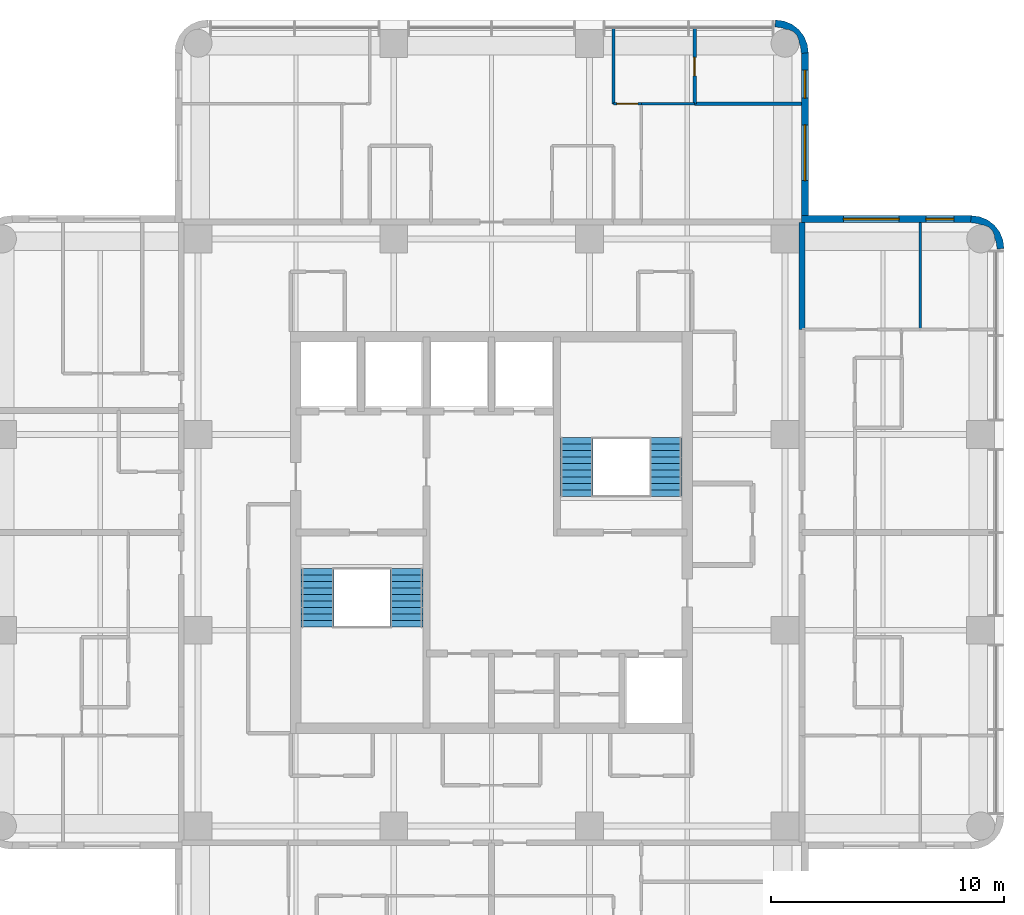
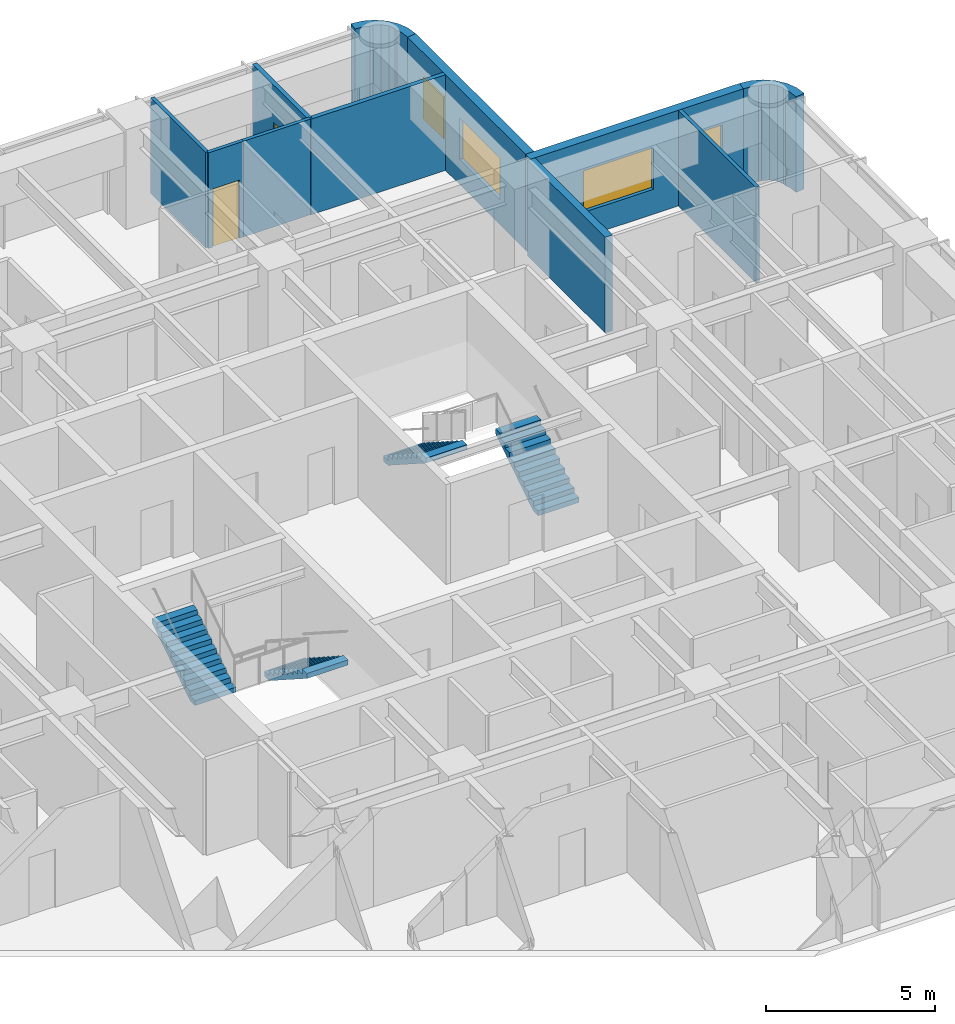
# One storey, part 9 of 10: 11 walls, 4 stair flights, 4 windows, 2 doors, 6 openings, 2 elements without a shape of their own.
"""IFC4 building model written with IfcOpenShell, lengths in metres."""

from ifc_helpers import new_model, si_unit, direction, frame, frame_2d, origin, place, context, subcontext, project, spatial, polyline, rectangle, outline, extrude, material, layer, layer_set, type_object, element, fill, aggregate, save


model = new_model("IFC4")

# Units and contexts
model_context = context("Model", 3, precision=1e-05, world=origin(), true_north=direction((0.0, 1.0)))
body_context = subcontext(model_context, "Body", "Model", "MODEL_VIEW")
ifc_project = project(units=[si_unit("LENGTHUNIT", "METRE"), si_unit("AREAUNIT", "SQUARE_METRE"), si_unit("VOLUMEUNIT", "CUBIC_METRE"), si_unit("PLANEANGLEUNIT", "RADIAN"), si_unit("MASSUNIT", "GRAM", prefix="KILO")], contexts=[model_context])

# Site, building, storey
site_placement = place(None, origin())
site = spatial("IfcSite", under=ifc_project, at=site_placement, CompositionType="ELEMENT")
building_placement = place(site_placement, origin())
building = spatial("IfcBuilding", under=site, at=building_placement, Name="Torre Alcanfor", CompositionType="ELEMENT")
storey_placement = place(building_placement, frame((0.0, 0.0, 293.699951171875)))
storey = spatial("IfcBuildingStorey", under=building, at=storey_placement, Name="L77", CompositionType="ELEMENT", Elevation=293.699951171875)

# Walls
ifc_material_1 = material(Name="Concrete block masonry, hollow blocks NMX-C-404 9 MPa", Category="masonry")
ifc_layer_1 = layer(ifc_material_1, 0.25)
ifc_layer_set_1 = layer_set([ifc_layer_1], Name="Apartment entrance wall 250 EI 60")
wall_type_1 = type_object("IfcWallType", Name="Apartment entrance wall 250 EI 60", PredefinedType="PARTITIONING", material=ifc_layer_set_1)
wall_1_placement = place(storey_placement, frame((42.72509765625, 42.699951171875, 0.0), z_axis=(0.0, 0.0, 1.0), x_axis=(0.0, -1.0, 0.0)))
element("IfcWall", 1, at=wall_1_placement, inside=storey, type_object=wall_type_1, Name="Partition L77-CORR / L77-E1-MASTER", PredefinedType="PARTITIONING", context=body_context, shape_type="SweptSolid", body=[
    extrude(rectangle(XDim=4.5859375, YDim=0.25, at=frame_2d((2.29296875, 0.0))), origin(), (0.0, 0.0, 1.0), 3.449951171875),
])
ifc_material_2 = material(Name="Gypsum board on steel studs", Category="steel")
ifc_layer_2 = layer(ifc_material_2, 0.1201171875)
ifc_layer_set_2 = layer_set([ifc_layer_2], Name="Apartment partition 120")
wall_type_2 = type_object("IfcWallType", Name="Apartment partition 120", PredefinedType="PARTITIONING", material=ifc_layer_set_2)
wall_2_placement = place(storey_placement, frame((34.62890625, 51.050048828125, 0.0), z_axis=(0.0, 0.0, 1.0), x_axis=(0.0, -1.0, 0.0)))
element("IfcWall", 2, at=wall_2_placement, inside=storey, type_object=wall_type_2, Name="Partition L77-NX-LIVING / L77-NX-BED1", PredefinedType="PARTITIONING", context=body_context, shape_type="SweptSolid", body=[
    extrude(rectangle(XDim=3.25, YDim=0.1201171875, at=frame_2d((1.625, 0.0))), origin(), (0.0, 0.0, 1.0), 3.449951171875),
])

# Wall, opening, door
wall_3_placement = place(storey_placement, frame((34.62890625, 47.800048828125, 0.0), z_axis=(0.0, 0.0, 1.0), x_axis=(1.0, 0.0, 0.0)))
wall_3 = element("IfcWall", 3, at=wall_3_placement, inside=storey, type_object=wall_type_2, Name="Partition L77-NX-LIVING / L77-NX-BED1", PredefinedType="PARTITIONING", context=body_context, shape_type="SweptSolid", body=[
    extrude(rectangle(XDim=1.2001953125, YDim=0.1201171875, at=frame_2d((0.60009765625, 0.0))), origin(), (0.0, 0.0, 1.0), 3.449951171875),
])
opening_1_placement = place(wall_3_placement, frame((0.15087890625, 0.0, 0.0)))
opening_1 = element("IfcOpeningElement", 4, at=opening_1_placement, cuts=wall_3, Name="Opening D-R1", PredefinedType="OPENING", context=body_context, shape_type="SweptSolid", body=[
    extrude(rectangle(XDim=0.89990234375, YDim=2.10009765625, at=frame_2d((0.449951171875, 1.050048828125))), frame((0.0, 0.070068359375, 0.0), z_axis=(0.0, -1.0, 0.0), x_axis=(1.0, 0.0, 0.0)), (0.0, 0.0, 1.0), 0.14013671875),
])
ifc_material_3 = material(Name="Timber", Category="wood")
door_type_1 = type_object("IfcDoorType", Name="Internal door 900x2100", OperationType="SINGLE_SWING_LEFT", PredefinedType="DOOR", material=ifc_material_3)
door_1_placement = place(opening_1_placement, origin())
door_1 = element("IfcDoor", 5, at=door_1_placement, inside=storey, type_object=door_type_1, Name="Door L77-NX bed1", OperationType="SINGLE_SWING_LEFT", OverallHeight=2.10009765625, OverallWidth=0.89990234375, PredefinedType="DOOR", context=body_context, shape_type="SweptSolid", body=[
    extrude(rectangle(XDim=0.89990234375, YDim=2.10009765625, at=frame_2d((0.449951171875, 1.050048828125))), frame((0.0, 0.02490234375, 0.0), z_axis=(0.0, -1.0, 0.0), x_axis=(1.0, 0.0, 0.0)), (0.0, 0.0, 1.0), 0.050048828125),
])
fill(opening_1, door_1)

# Walls
wall_4_placement = place(storey_placement, frame((38.114013671875, 47.800048828125, 0.0), z_axis=(0.0, 0.0, 1.0), x_axis=(-1.0, 0.0, 0.0)))
element("IfcWall", 6, at=wall_4_placement, inside=storey, type_object=wall_type_2, Name="Partition L77-NX-BED3 / L77-NX-BED1", PredefinedType="PARTITIONING", context=body_context, shape_type="SweptSolid", body=[
    extrude(rectangle(XDim=2.284912109375, YDim=0.1201171875, at=frame_2d((1.142578125, 0.0))), origin(), (0.0, 0.0, 1.0), 3.449951171875),
])
wall_5_placement = place(storey_placement, frame((47.800048828125, 38.114013671875, 0.0), z_axis=(0.0, 0.0, 1.0), x_axis=(0.0, 1.0, 0.0)))
element("IfcWall", 7, at=wall_5_placement, inside=storey, type_object=wall_type_2, Name="Partition L77-E1-MASTER / L77-E1-BED2", PredefinedType="PARTITIONING", context=body_context, shape_type="SweptSolid", body=[
    extrude(rectangle(XDim=4.5859375, YDim=0.1201171875, at=frame_2d((2.29296875, 0.0))), origin(), (0.0, 0.0, 1.0), 3.449951171875),
])

# Wall, openings, windows
ifc_material_4 = material(Name="Limestone cladding", Category="masonry")
ifc_layer_3 = layer(ifc_material_4, 0.0400390625, Name="Facing")
ifc_material_5 = material(Name="Ventilated air cavity")
ifc_layer_4 = layer(ifc_material_5, 0.02001953125, ventilated=True, Name="Ventilated joint")
ifc_material_6 = material(Name="Mineral wool insulation", Category="insulation")
ifc_layer_5 = layer(ifc_material_6, 0.10009765625, Name="Insulation")
ifc_material_7 = material(Name="Concrete f'c 35 MPa", Category="concrete")
ifc_layer_6 = layer(ifc_material_7, 0.139892578125, Name="Backing")
ifc_layer_set_3 = layer_set([ifc_layer_3, ifc_layer_4, ifc_layer_5, ifc_layer_6], Name="External wall stone-clad 300")
wall_type_3 = type_object("IfcWallType", Name="External wall stone-clad 300", PredefinedType="SOLIDWALL", material=ifc_layer_set_3)
wall_6_placement = place(storey_placement, frame((50.0, 42.85009765625, 0.0), z_axis=(0.0, 0.0, 1.0), x_axis=(-1.0, 0.0, 0.0)))
wall_6 = element("IfcWall", 8, at=wall_6_placement, inside=storey, type_object=wall_type_3, Name="External wall L77 9", PredefinedType="SOLIDWALL", context=body_context, shape_type="SweptSolid", body=[
    extrude(rectangle(XDim=7.300048828125, YDim=0.300048828125, at=frame_2d((3.64990234375, 0.0))), origin(), (0.0, 0.0, 1.0), 3.449951171875),
])
opening_2_placement = place(wall_6_placement, frame((3.10009765625, 0.0, 0.89990234375)))
opening_2 = element("IfcOpeningElement", 9, at=opening_2_placement, cuts=wall_6, Name="Opening W1", PredefinedType="OPENING", context=body_context, shape_type="SweptSolid", body=[
    extrude(rectangle(XDim=2.39990234375, YDim=1.5, at=frame_2d((1.199951171875, 0.75))), frame((0.0, 0.159912109375, 0.0), z_axis=(0.0, -1.0, 0.0), x_axis=(1.0, 0.0, 0.0)), (0.0, 0.0, 1.0), 0.320068359375),
])
opening_3_placement = place(wall_6_placement, frame((0.75, 0.0, 0.89990234375)))
opening_3 = element("IfcOpeningElement", 10, at=opening_3_placement, cuts=wall_6, Name="Opening W4", PredefinedType="OPENING", context=body_context, shape_type="SweptSolid", body=[
    extrude(rectangle(XDim=1.199951171875, YDim=1.5, at=frame_2d((0.60009765625, 0.75))), frame((0.0, 0.159912109375, 0.0), z_axis=(0.0, -1.0, 0.0), x_axis=(1.0, 0.0, 0.0)), (0.0, 0.0, 1.0), 0.320068359375),
])
ifc_material_8 = material(Name="Aluminium frame with clear double glazing", Category="aluminium")
window_type_1 = type_object("IfcWindowType", Name="Window bedroom 1200x1500", PartitioningType="SINGLE_PANEL", PredefinedType="WINDOW", material=ifc_material_8)
window_1_placement = place(opening_3_placement, origin())
window_1 = element("IfcWindow", 11, at=window_1_placement, inside=storey, type_object=window_type_1, Name="Window W4 L77-E1", OverallHeight=1.5, OverallWidth=1.199951171875, PartitioningType="SINGLE_PANEL", PredefinedType="WINDOW", context=body_context, shape_type="SweptSolid", body=[
    extrude(rectangle(XDim=1.199951171875, YDim=1.5, at=frame_2d((0.60009765625, 0.75))), frame((0.0, 0.030029296875, 0.0), z_axis=(0.0, -1.0, 0.0), x_axis=(1.0, 0.0, 0.0)), (0.0, 0.0, 1.0), 0.06005859375),
])
fill(opening_3, window_1)
ifc_material_9 = material(Name="Aluminium frame with clear double glazing", Category="aluminium")
window_type_2 = type_object("IfcWindowType", Name="Window bedroom 2400x1500", PartitioningType="SINGLE_PANEL", PredefinedType="WINDOW", material=ifc_material_9)
window_2_placement = place(opening_2_placement, origin())
window_2 = element("IfcWindow", 12, at=window_2_placement, inside=storey, type_object=window_type_2, Name="Window W1 L77-E1", OverallHeight=1.5, OverallWidth=2.39990234375, PartitioningType="SINGLE_PANEL", PredefinedType="WINDOW", context=body_context, shape_type="SweptSolid", body=[
    extrude(rectangle(XDim=2.39990234375, YDim=1.5, at=frame_2d((1.199951171875, 0.75))), frame((0.0, 0.030029296875, 0.0), z_axis=(0.0, -1.0, 0.0), x_axis=(1.0, 0.0, 0.0)), (0.0, 0.0, 1.0), 0.06005859375),
])
fill(opening_2, window_2)

wall_7_placement = place(storey_placement, frame((42.85009765625, 43.0, 0.0), z_axis=(0.0, 0.0, 1.0), x_axis=(0.0, 1.0, 0.0)))
wall_7 = element("IfcWall", 13, at=wall_7_placement, inside=storey, type_object=wall_type_3, Name="External wall L77 10", PredefinedType="SOLIDWALL", context=body_context, shape_type="SweptSolid", body=[
    extrude(rectangle(XDim=7.0, YDim=0.300048828125, at=frame_2d((3.5, 0.0))), origin(), (0.0, 0.0, 1.0), 3.449951171875),
])
opening_4_placement = place(wall_7_placement, frame((1.5, 0.0, 0.89990234375)))
opening_4 = element("IfcOpeningElement", 14, at=opening_4_placement, cuts=wall_7, Name="Opening W1", PredefinedType="OPENING", context=body_context, shape_type="SweptSolid", body=[
    extrude(rectangle(XDim=2.39990234375, YDim=1.5, at=frame_2d((1.199951171875, 0.75))), frame((0.0, 0.159912109375, 0.0), z_axis=(0.0, -1.0, 0.0), x_axis=(1.0, 0.0, 0.0)), (0.0, 0.0, 1.0), 0.320068359375),
])
opening_5_placement = place(wall_7_placement, frame((5.050048828125, 0.0, 0.89990234375)))
opening_5 = element("IfcOpeningElement", 15, at=opening_5_placement, cuts=wall_7, Name="Opening W4", PredefinedType="OPENING", context=body_context, shape_type="SweptSolid", body=[
    extrude(rectangle(XDim=1.199951171875, YDim=1.5, at=frame_2d((0.60009765625, 0.75))), frame((0.0, 0.159912109375, 0.0), z_axis=(0.0, -1.0, 0.0), x_axis=(1.0, 0.0, 0.0)), (0.0, 0.0, 1.0), 0.320068359375),
])
window_3_placement = place(opening_5_placement, origin())
window_3 = element("IfcWindow", 16, at=window_3_placement, inside=storey, type_object=window_type_1, Name="Window W4 L77-N2", OverallHeight=1.5, OverallWidth=1.199951171875, PartitioningType="SINGLE_PANEL", PredefinedType="WINDOW", context=body_context, shape_type="SweptSolid", body=[
    extrude(rectangle(XDim=1.199951171875, YDim=1.5, at=frame_2d((0.60009765625, 0.75))), frame((0.0, 0.030029296875, 0.0), z_axis=(0.0, -1.0, 0.0), x_axis=(1.0, 0.0, 0.0)), (0.0, 0.0, 1.0), 0.06005859375),
])
fill(opening_5, window_3)
window_4_placement = place(opening_4_placement, origin())
window_4 = element("IfcWindow", 17, at=window_4_placement, inside=storey, type_object=window_type_2, Name="Window W1 L77-N2", OverallHeight=1.5, OverallWidth=2.39990234375, PartitioningType="SINGLE_PANEL", PredefinedType="WINDOW", context=body_context, shape_type="SweptSolid", body=[
    extrude(rectangle(XDim=2.39990234375, YDim=1.5, at=frame_2d((1.199951171875, 0.75))), frame((0.0, 0.030029296875, 0.0), z_axis=(0.0, -1.0, 0.0), x_axis=(1.0, 0.0, 0.0)), (0.0, 0.0, 1.0), 0.06005859375),
])
fill(opening_4, window_4)

# Walls
ifc_layer_7 = layer(ifc_material_4, 0.0400390625, Name="Facing")
ifc_layer_8 = layer(ifc_material_5, 0.02001953125, ventilated=True, Name="Ventilated joint")
ifc_layer_9 = layer(ifc_material_6, 0.10009765625, Name="Insulation")
ifc_layer_10 = layer(ifc_material_7, 0.139892578125, Name="Backing")
ifc_layer_set_4 = layer_set([ifc_layer_7, ifc_layer_8, ifc_layer_9, ifc_layer_10], Name="Rounded corner pier stone-clad 300")
wall_type_4 = type_object("IfcWallType", Name="Rounded corner pier stone-clad 300", PredefinedType="SOLIDWALL", material=ifc_layer_set_4)
wall_8_placement = place(storey_placement, frame((50.975898117, 41.638418254, 0.0), z_axis=(0.0, 0.0, 1.0), x_axis=(0.707106781187, 0.707106781187, 0.0)))
element("IfcWall", 18, at=wall_8_placement, inside=storey, type_object=wall_type_4, Name="Corner pier L77 18", PredefinedType="SOLIDWALL", context=body_context, shape_type="SweptSolid", body=[
    extrude(outline(polyline([(0.23318643990489343, 0.11416555226925765), (0.04674226908422171, -0.12890240376361806), (0.032758956272671336, -0.14288571657516844), (0.27271950945853585, -0.32691301851483145), (0.4952440800028376, -0.03706138628528721), (0.6350772081183413, 0.3006097230899294), (0.682724051772513, 0.6627947882582343), (0.6350772081183413, 1.0253251204095404), (0.4952440800028376, 1.3629962297847569), (0.27271950945853585, 1.6528478620143012), (0.032586322781170685, 1.4686479265831376), (0.04656963559272109, 1.454664613771587), (0.2330138064133928, 1.2115966577387114), (0.2922270939981062, 1.0691740272506984), (0.35800045425984317, 1.0034006669889615), (0.44949620475517277, 0.7824297978681654), (0.4493235712636722, 0.5433324121398039), (0.3578278207683425, 0.32236154301900777), (0.29222709399810615, 0.2567608162487714), (0.23318643990489343, 0.11416555226925765)])), origin(), (0.0, 0.0, 1.0), 3.449951171875),
])
wall_9_placement = place(storey_placement, frame((42.575898117, 50.038418254, 0.0), z_axis=(0.0, 0.0, 1.0), x_axis=(0.707106781187, 0.707106781187, 0.0)))
element("IfcWall", 19, at=wall_9_placement, inside=storey, type_object=wall_type_4, Name="Corner pier L77 19", PredefinedType="SOLIDWALL", context=body_context, shape_type="SweptSolid", body=[
    extrude(outline(polyline([(0.2330138064133928, 0.11420007896755979), (0.0465696355927211, -0.12886787706531594), (0.03258632278117072, -0.14285118987686632), (0.27271950945853585, -0.32705112530802993), (0.4952440800028376, -0.03719949307848569), (0.6350772081183413, 0.3004716162967309), (0.682724051772513, 0.663001948448037), (0.6350772081183413, 1.025187013616342), (0.4952440800028376, 1.3628581229915584), (0.27271950945853596, 1.6527097552211027), (0.032758956272671336, 1.4686824532814398), (0.046742269084221744, 1.4546991404698892), (0.23318643990489346, 1.2116311844370136), (0.2922270939981061, 1.0690359204575), (0.35782782076834246, 1.0034351936872634), (0.4493235712636722, 0.7824643245664674), (0.44949620475517277, 0.543366938838106), (0.3580004542598431, 0.3223960697173099), (0.29222709399810615, 0.2566227094555729), (0.2330138064133928, 0.11420007896755979)])), origin(), (0.0, 0.0, 1.0), 3.449951171875),
])
ifc_material_10 = material(Name="Cement board on steel studs", Category="steel")
ifc_layer_11 = layer(ifc_material_10, 0.14990234375)
ifc_layer_set_5 = layer_set([ifc_layer_11], Name="Wet area partition 150")
wall_type_5 = type_object("IfcWallType", Name="Wet area partition 150", PredefinedType="PARTITIONING", material=ifc_layer_set_5)
wall_10_placement = place(storey_placement, frame((42.699951171875, 47.800048828125, 0.0), z_axis=(0.0, 0.0, 1.0), x_axis=(-1.0, 0.0, 0.0)))
element("IfcWall", 20, at=wall_10_placement, inside=storey, type_object=wall_type_5, Name="Partition L77-NX-BED3 / L77-NX-BATH1", PredefinedType="PARTITIONING", context=body_context, shape_type="SweptSolid", body=[
    extrude(rectangle(XDim=4.5859375, YDim=0.14990234375, at=frame_2d((2.29296875, 0.0))), origin(), (0.0, 0.0, 1.0), 3.449951171875),
])

# Wall, opening, door
wall_11_placement = place(storey_placement, frame((38.114013671875, 51.050048828125, 0.0), z_axis=(0.0, 0.0, 1.0), x_axis=(0.0, -1.0, 0.0)))
wall_11 = element("IfcWall", 21, at=wall_11_placement, inside=storey, type_object=wall_type_5, Name="Partition L77-NX-BATH1 / L77-NX-BED1", PredefinedType="PARTITIONING", context=body_context, shape_type="SweptSolid", body=[
    extrude(rectangle(XDim=3.25, YDim=0.14990234375, at=frame_2d((1.625, 0.0))), origin(), (0.0, 0.0, 1.0), 3.449951171875),
])
opening_6_placement = place(wall_11_placement, frame((1.25, 0.0, 0.0)))
opening_6 = element("IfcOpeningElement", 22, at=opening_6_placement, cuts=wall_11, Name="Opening D-R2", PredefinedType="OPENING", context=body_context, shape_type="SweptSolid", body=[
    extrude(rectangle(XDim=0.800048828125, YDim=2.10009765625, at=frame_2d((0.39990234375, 1.050048828125))), frame((0.0, 0.0849609375, 0.0), z_axis=(0.0, -1.0, 0.0), x_axis=(1.0, 0.0, 0.0)), (0.0, 0.0, 1.0), 0.169921875),
])
ifc_material_11 = material(Name="Timber", Category="wood")
door_type_2 = type_object("IfcDoorType", Name="Bathroom door 800x2100", OperationType="SINGLE_SWING_LEFT", PredefinedType="DOOR", material=ifc_material_11)
door_2_placement = place(opening_6_placement, frame((0.800048828125, 0.0, 0.0), z_axis=(0.0, 0.0, 1.0), x_axis=(-1.0, 0.0, 0.0)))
door_2 = element("IfcDoor", 23, at=door_2_placement, inside=storey, type_object=door_type_2, Name="Door L77-NX bath1", OperationType="SINGLE_SWING_LEFT", OverallHeight=2.10009765625, OverallWidth=0.800048828125, PredefinedType="DOOR", context=body_context, shape_type="SweptSolid", body=[
    extrude(rectangle(XDim=0.800048828125, YDim=2.10009765625, at=frame_2d((0.400146484375, 1.050048828125))), frame((0.0, 0.025146484375, 0.0), z_axis=(0.0, -1.0, 0.0), x_axis=(1.0, 0.0, 0.0)), (0.0, 0.0, 1.0), 0.050048828125),
])
fill(opening_6, door_2)

# Stair, stair flights
ifc_material_12 = material(Name="Concrete f'c 35 MPa", Category="concrete")
stair_type_1 = type_object("IfcStairType", Name="Exit stair S1 1400 wide", PredefinedType="HALF_TURN_STAIR", material=ifc_material_12)
stair_1_placement = place(storey_placement, origin())
stair_1 = element("IfcStair", 24, at=stair_1_placement, inside=storey, type_object=stair_type_1, Name="Stair S1 L77 to L78", PredefinedType="HALF_TURN_STAIR")
ifc_material_13 = material(Name="Concrete f'c 35 MPa", Category="concrete")
stair_flight_type = type_object("IfcStairFlightType", Name="Stair flight 1400", PredefinedType="STRAIGHT", material=ifc_material_13)
stair_flight_1_placement = place(storey_placement, frame((25.75, 27.85009765625, 0.0), z_axis=(0.0, 0.0, 1.0), x_axis=(0.0, -1.0, 0.0)))
stair_flight_1 = element("IfcStairFlight", 25, at=stair_flight_1_placement, type_object=stair_flight_type, Name="S1 flight 1", NumberOfRisers=10, NumberOfTreads=9, PredefinedType="STRAIGHT", RiserHeight=0.18, TreadLength=0.28, context=body_context, shape_type="SweptSolid", body=[
    extrude(outline(polyline([(0.0, 0.0), (0.0, 0.179931640625), (0.280029296875, 0.179931640625), (0.280029296875, 0.360107421875), (0.56005859375, 0.360107421875), (0.56005859375, 0.5400390625), (0.840087890625, 0.5400390625), (0.840087890625, 0.719970703125), (1.1201171875, 0.719970703125), (1.1201171875, 0.89990234375), (1.39990234375, 0.89990234375), (1.39990234375, 1.080078125), (1.679931640625, 1.080078125), (1.679931640625, 1.260009765625), (1.9599609375, 1.260009765625), (1.9599609375, 1.43994140625), (2.239990234375, 1.43994140625), (2.239990234375, 1.6201171875), (2.52001953125, 1.6201171875), (2.52001953125, 1.800048828125), (2.52001953125, 1.44189453125), (0.277099609375, 0.0), (0.0, 0.0)])), frame((0.0, 0.699951171875, 0.0), z_axis=(0.0, -1.0, 0.0), x_axis=(1.0, 0.0, 0.0)), (0.0, 0.0, 1.0), 1.39990234375),
])
stair_flight_2_placement = place(storey_placement, frame((21.925048828125, 25.330078125, 1.800048828125), z_axis=(0.0, 0.0, 1.0), x_axis=(0.0, 1.0, 0.0)))
stair_flight_2 = element("IfcStairFlight", 26, at=stair_flight_2_placement, type_object=stair_flight_type, Name="S1 flight 2", NumberOfRisers=10, NumberOfTreads=9, PredefinedType="STRAIGHT", RiserHeight=0.18, TreadLength=0.28, context=body_context, shape_type="SweptSolid", body=[
    extrude(outline(polyline([(0.0, 0.0), (0.0, 0.179931640625), (0.280029296875, 0.179931640625), (0.280029296875, 0.360107421875), (0.56005859375, 0.360107421875), (0.56005859375, 0.5400390625), (0.840087890625, 0.5400390625), (0.840087890625, 0.719970703125), (1.1201171875, 0.719970703125), (1.1201171875, 0.89990234375), (1.39990234375, 0.89990234375), (1.39990234375, 1.080078125), (1.679931640625, 1.080078125), (1.679931640625, 1.260009765625), (1.9599609375, 1.260009765625), (1.9599609375, 1.43994140625), (2.239990234375, 1.43994140625), (2.239990234375, 1.6201171875), (2.52001953125, 1.6201171875), (2.52001953125, 1.800048828125), (2.52001953125, 1.44189453125), (0.277099609375, 0.0), (0.0, 0.0)])), frame((0.0, 0.699951171875, 0.0), z_axis=(0.0, -1.0, 0.0), x_axis=(1.0, 0.0, 0.0)), (0.0, 0.0, 1.0), 1.39990234375),
])
aggregate(stair_1, [stair_flight_1, stair_flight_2])

ifc_material_14 = material(Name="Concrete f'c 35 MPa", Category="concrete")
stair_type_2 = type_object("IfcStairType", Name="Exit stair S2 1400 wide", PredefinedType="HALF_TURN_STAIR", material=ifc_material_14)
stair_2_placement = place(storey_placement, origin())
stair_2 = element("IfcStair", 27, at=stair_2_placement, inside=storey, type_object=stair_type_2, Name="Stair S2 L77 to L78", PredefinedType="HALF_TURN_STAIR")
stair_flight_3_placement = place(storey_placement, frame((36.875, 30.949951171875, 0.0), z_axis=(0.0, 0.0, 1.0), x_axis=(0.0, 1.0, 0.0)))
stair_flight_3 = element("IfcStairFlight", 28, at=stair_flight_3_placement, type_object=stair_flight_type, Name="S2 flight 1", NumberOfRisers=10, NumberOfTreads=9, PredefinedType="STRAIGHT", RiserHeight=0.18, TreadLength=0.28, context=body_context, shape_type="SweptSolid", body=[
    extrude(outline(polyline([(0.0, 0.0), (0.0, 0.179931640625), (0.280029296875, 0.179931640625), (0.280029296875, 0.360107421875), (0.56005859375, 0.360107421875), (0.56005859375, 0.5400390625), (0.840087890625, 0.5400390625), (0.840087890625, 0.719970703125), (1.1201171875, 0.719970703125), (1.1201171875, 0.89990234375), (1.39990234375, 0.89990234375), (1.39990234375, 1.080078125), (1.679931640625, 1.080078125), (1.679931640625, 1.260009765625), (1.9599609375, 1.260009765625), (1.9599609375, 1.43994140625), (2.239990234375, 1.43994140625), (2.239990234375, 1.6201171875), (2.52001953125, 1.6201171875), (2.52001953125, 1.800048828125), (2.52001953125, 1.44189453125), (0.277099609375, 0.0), (0.0, 0.0)])), frame((0.0, 0.699951171875, 0.0), z_axis=(0.0, -1.0, 0.0), x_axis=(1.0, 0.0, 0.0)), (0.0, 0.0, 1.0), 1.39990234375),
])
stair_flight_4_placement = place(storey_placement, frame((33.050048828125, 33.469970703125, 1.800048828125), z_axis=(0.0, 0.0, 1.0), x_axis=(0.0, -1.0, 0.0)))
stair_flight_4 = element("IfcStairFlight", 29, at=stair_flight_4_placement, type_object=stair_flight_type, Name="S2 flight 2", NumberOfRisers=10, NumberOfTreads=9, PredefinedType="STRAIGHT", RiserHeight=0.18, TreadLength=0.28, context=body_context, shape_type="SweptSolid", body=[
    extrude(outline(polyline([(0.0, 0.0), (0.0, 0.179931640625), (0.280029296875, 0.179931640625), (0.280029296875, 0.360107421875), (0.56005859375, 0.360107421875), (0.56005859375, 0.5400390625), (0.840087890625, 0.5400390625), (0.840087890625, 0.719970703125), (1.1201171875, 0.719970703125), (1.1201171875, 0.89990234375), (1.39990234375, 0.89990234375), (1.39990234375, 1.080078125), (1.679931640625, 1.080078125), (1.679931640625, 1.260009765625), (1.9599609375, 1.260009765625), (1.9599609375, 1.43994140625), (2.239990234375, 1.43994140625), (2.239990234375, 1.6201171875), (2.52001953125, 1.6201171875), (2.52001953125, 1.800048828125), (2.52001953125, 1.44189453125), (0.277099609375, 0.0), (0.0, 0.0)])), frame((0.0, 0.699951171875, 0.0), z_axis=(0.0, -1.0, 0.0), x_axis=(1.0, 0.0, 0.0)), (0.0, 0.0, 1.0), 1.39990234375),
])
aggregate(stair_2, [stair_flight_3, stair_flight_4])

save(model, "model.ifc")
